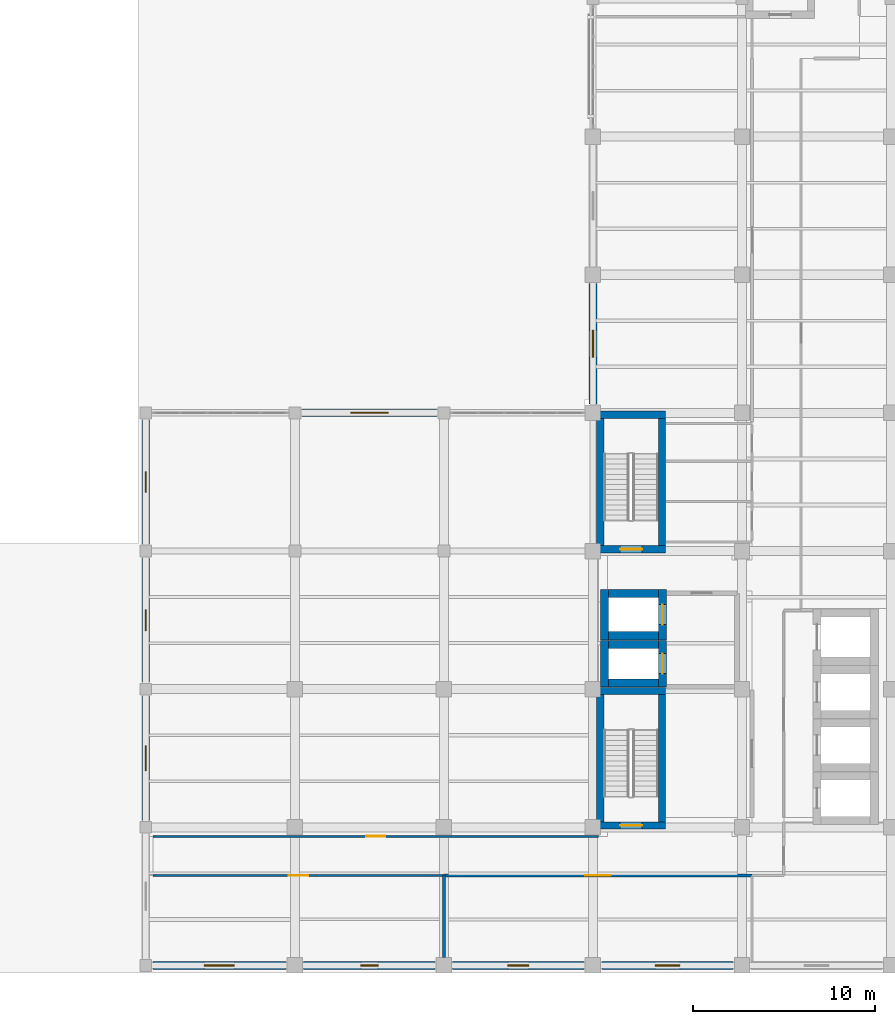
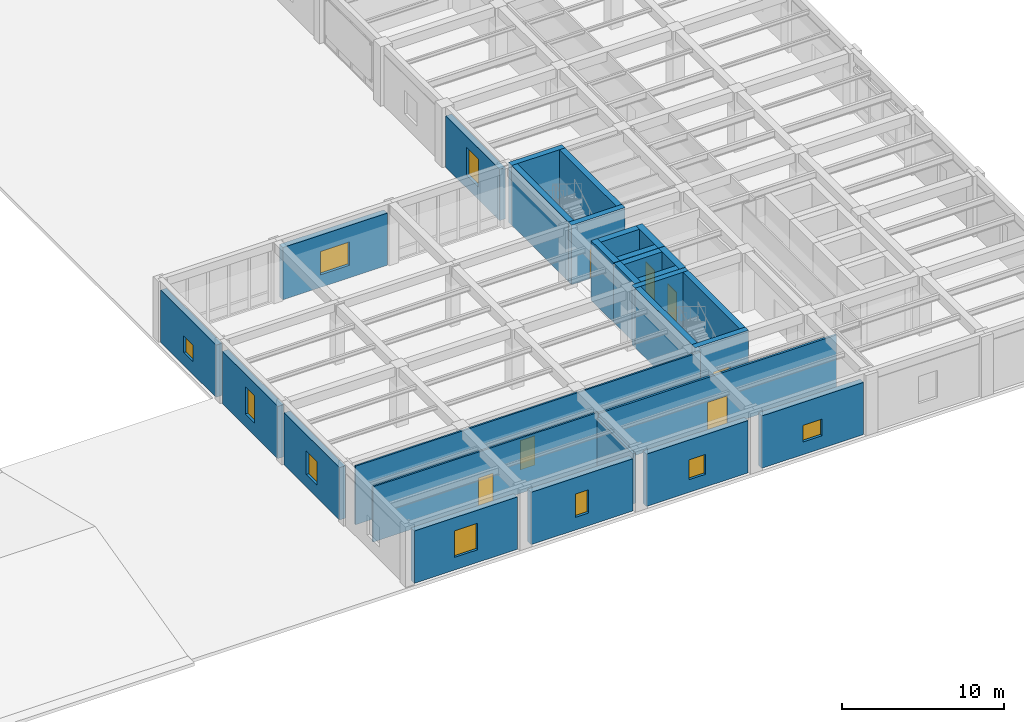
# One storey, part 15 of 23: 29 walls, 9 windows, 7 doors, 16 openings.
"""IFC4 building model written with IfcOpenShell, lengths in metres."""

from ifc_helpers import new_model, si_unit, direction, frame, frame_2d, origin, place, context, subcontext, project, spatial, rectangle, extrude, material, layer, layer_set, type_object, element, fill, save


model = new_model("IFC4")

# Units and contexts
model_context = context("Model", 3, precision=1e-05, world=origin(), true_north=direction((0.0, 1.0)))
body_context = subcontext(model_context, "Body", "Model", "MODEL_VIEW")
ifc_project = project(units=[si_unit("LENGTHUNIT", "METRE"), si_unit("AREAUNIT", "SQUARE_METRE"), si_unit("VOLUMEUNIT", "CUBIC_METRE"), si_unit("PLANEANGLEUNIT", "RADIAN"), si_unit("MASSUNIT", "GRAM", prefix="KILO")], contexts=[model_context])

# Site, building, storey
site_placement = place(None, origin())
site = spatial("IfcSite", under=ifc_project, at=site_placement, CompositionType="ELEMENT")
building_placement = place(site_placement, origin())
building = spatial("IfcBuilding", under=site, at=building_placement, Name="Qandaris Square Conservatory and Botanical Centre", CompositionType="ELEMENT")
storey_placement = place(building_placement, frame((0.0, 0.0, 15.0)))
storey = spatial("IfcBuildingStorey", under=building, at=storey_placement, Name="L03", CompositionType="ELEMENT", Elevation=15.0)

# Wall, opening, door
ifc_material_1 = material(Name="Gypsum Plasterboard", Category="gypsum")
ifc_layer_1 = layer(ifc_material_1, 0.14990234375)
ifc_layer_set_1 = layer_set([ifc_layer_1], Name="Gypsum Plasterboard")
wall_type_1 = type_object("IfcWallType", Name="Acoustic Laboratory Partition 150mm", PredefinedType="PARTITIONING", material=ifc_layer_set_1)
wall_1_placement = place(storey_placement, frame((147.949951171875, 21.550048828125, 0.0), z_axis=(0.0, 0.0, 1.0), x_axis=(-1.0, 0.0, 0.0)))
wall_1 = element("IfcWall", 1, at=wall_1_placement, inside=storey, type_object=wall_type_1, Name="Interior Partition IW-L03-0174", PredefinedType="PARTITIONING", context=body_context, shape_type="SweptSolid", body=[
    extrude(rectangle(XDim=16.949951171875, YDim=0.14990234375, at=frame_2d((8.47509765625, 0.0))), origin(), (0.0, 0.0, 1.0), 4.054931640625),
])
opening_1_placement = place(wall_1_placement, frame((7.77490234375, 0.0, 0.0)))
opening_1 = element("IfcOpeningElement", 2, at=opening_1_placement, cuts=wall_1, Name="Opening D-LAB1", PredefinedType="OPENING", context=body_context, shape_type="SweptSolid", body=[
    extrude(rectangle(XDim=1.39990234375, YDim=2.199951171875, at=frame_2d((0.699951171875, 1.10009765625))), frame((0.0, 0.0869140625, 0.0), z_axis=(0.0, -1.0, 0.0), x_axis=(1.0, 0.0, 0.0)), (0.0, 0.0, 1.0), 0.173828125),
])
ifc_material_2 = material(Name="Engineered Oak Timber", Category="wood")
door_type_1 = type_object("IfcDoorType", Name="Research Laboratory Leaf-and-Half Door 1400x2200", OperationType="DOUBLE_DOOR_SINGLE_SWING", PredefinedType="DOOR", material=ifc_material_2)
door_1_placement = place(opening_1_placement, frame((1.39990234375, 0.0, 0.0), z_axis=(0.0, 0.0, 1.0), x_axis=(-1.0, 0.0, 0.0)))
door_1 = element("IfcDoor", 3, at=door_1_placement, inside=storey, type_object=door_type_1, Name="DR-0153 Genomic Sequencing Suite Door", OperationType="DOUBLE_DOOR_SINGLE_SWING", OverallHeight=2.199951171875, OverallWidth=1.39990234375, PredefinedType="DOOR", context=body_context, shape_type="SweptSolid", body=[
    extrude(rectangle(XDim=1.39990234375, YDim=2.199951171875, at=frame_2d((0.699951171875, 1.10009765625))), frame((0.0, 0.02490234375, 0.0), z_axis=(0.0, -1.0, 0.0), x_axis=(1.0, 0.0, 0.0)), (0.0, 0.0, 1.0), 0.050048828125),
])
fill(opening_1, door_1)

# Wall
wall_2_placement = place(storey_placement, frame((131.0, 21.550048828125, 0.0), z_axis=(0.0, 0.0, 1.0), x_axis=(0.0, -1.0, 0.0)))
element("IfcWall", 4, at=wall_2_placement, inside=storey, type_object=wall_type_1, Name="Interior Partition IW-L03-0185", PredefinedType="PARTITIONING", context=body_context, shape_type="SweptSolid", body=[
    extrude(rectangle(XDim=4.505126953125, YDim=0.14990234375, at=frame_2d((2.25244140625, 0.0))), origin(), (0.0, 0.0, 1.0), 3.764892578125),
])

# Wall, opening, window
ifc_material_3 = material(Name="Concrete C40/50", Category="concrete")
ifc_layer_2 = layer(ifc_material_3, 0.419921875)
ifc_layer_set_2 = layer_set([ifc_layer_2], Name="Concrete C40/50")
wall_type_2 = type_object("IfcWallType", Name="Insulated Qatari Limestone Cavity Wall 420mm", PredefinedType="SOLIDWALL", material=ifc_layer_set_2)
wall_3_placement = place(storey_placement, frame((114.985107421875, 16.60009765625, 0.0), z_axis=(0.0, 0.0, 1.0), x_axis=(1.0, 0.0, 0.0)))
wall_3 = element("IfcWall", 5, at=wall_3_placement, inside=storey, type_object=wall_type_2, Name="Exterior Wall EW-TWR-L03-1-1", PredefinedType="SOLIDWALL", context=body_context, shape_type="SweptSolid", body=[
    extrude(rectangle(XDim=7.329833984375, YDim=0.419921875, at=frame_2d((3.6650390625, 0.0))), origin(), (0.0, 0.0, 1.0), 3.929931640625),
])
opening_2_placement = place(wall_3_placement, frame((2.840087890625, 0.0, 0.949951171875)))
opening_2 = element("IfcOpeningElement", 6, at=opening_2_placement, cuts=wall_3, Name="Opening WN-08", PredefinedType="OPENING", context=body_context, shape_type="SweptSolid", body=[
    extrude(rectangle(XDim=1.64990234375, YDim=2.0, at=frame_2d((0.824951171875, 1.0))), frame((0.0, 0.221923828125, 0.0), z_axis=(0.0, -1.0, 0.0), x_axis=(1.0, 0.0, 0.0)), (0.0, 0.0, 1.0), 0.44384765625),
])
ifc_material_4 = material(Name="Tempered Low-E Glass", Category="glass")
window_type_1 = type_object("IfcWindowType", Name="Seminar Courtyard Window 1650x2000", PartitioningType="DOUBLE_PANEL_VERTICAL", PredefinedType="WINDOW", material=ifc_material_4)
window_1_placement = place(opening_2_placement, origin())
window_1 = element("IfcWindow", 7, at=window_1_placement, inside=storey, type_object=window_type_1, Name="Window EW-TWR-L03-1-1", OverallHeight=2.0, OverallWidth=1.64990234375, PartitioningType="DOUBLE_PANEL_VERTICAL", PredefinedType="WINDOW", context=body_context, shape_type="SweptSolid", body=[
    extrude(rectangle(XDim=1.64990234375, YDim=2.0, at=frame_2d((0.824951171875, 1.0))), frame((0.0, 0.030029296875, 0.0), z_axis=(0.0, -1.0, 0.0), x_axis=(1.0, 0.0, 0.0)), (0.0, 0.0, 1.0), 0.06005859375),
])
fill(opening_2, window_1)

wall_4_placement = place(storey_placement, frame((123.284912109375, 16.60009765625, 0.0), z_axis=(0.0, 0.0, 1.0), x_axis=(1.0, 0.0, 0.0)))
wall_4 = element("IfcWall", 8, at=wall_4_placement, inside=storey, type_object=wall_type_2, Name="Exterior Wall EW-TWR-L03-1-2", PredefinedType="SOLIDWALL", context=body_context, shape_type="SweptSolid", body=[
    extrude(rectangle(XDim=7.22998046875, YDim=0.419921875, at=frame_2d((3.614990234375, 0.0))), origin(), (0.0, 0.0, 1.0), 3.929931640625),
])
opening_3_placement = place(wall_4_placement, frame((3.139892578125, 0.0, 0.949951171875)))
opening_3 = element("IfcOpeningElement", 9, at=opening_3_placement, cuts=wall_4, Name="Opening WN-15", PredefinedType="OPENING", context=body_context, shape_type="SweptSolid", body=[
    extrude(rectangle(XDim=0.949951171875, YDim=1.75, at=frame_2d((0.47509765625, 0.875))), frame((0.0, 0.221923828125, 0.0), z_axis=(0.0, -1.0, 0.0), x_axis=(1.0, 0.0, 0.0)), (0.0, 0.0, 1.0), 0.44384765625),
])
window_type_2 = type_object("IfcWindowType", Name="Solar Control Window 950x1750", PartitioningType="SINGLE_PANEL", PredefinedType="WINDOW", material=ifc_material_4)
window_2_placement = place(opening_3_placement, origin())
window_2 = element("IfcWindow", 10, at=window_2_placement, inside=storey, type_object=window_type_2, Name="Window EW-TWR-L03-1-2", OverallHeight=1.75, OverallWidth=0.949951171875, PartitioningType="SINGLE_PANEL", PredefinedType="WINDOW", context=body_context, shape_type="SweptSolid", body=[
    extrude(rectangle(XDim=0.949951171875, YDim=1.75, at=frame_2d((0.47509765625, 0.875))), frame((0.0, 0.030029296875, 0.0), z_axis=(0.0, -1.0, 0.0), x_axis=(1.0, 0.0, 0.0)), (0.0, 0.0, 1.0), 0.06005859375),
])
fill(opening_3, window_2)

wall_5_placement = place(storey_placement, frame((131.485107421875, 16.60009765625, 0.0), z_axis=(0.0, 0.0, 1.0), x_axis=(1.0, 0.0, 0.0)))
wall_5 = element("IfcWall", 11, at=wall_5_placement, inside=storey, type_object=wall_type_2, Name="Exterior Wall EW-TWR-L03-1-3", PredefinedType="SOLIDWALL", context=body_context, shape_type="SweptSolid", body=[
    extrude(rectangle(XDim=7.22998046875, YDim=0.419921875, at=frame_2d((3.614990234375, 0.0))), origin(), (0.0, 0.0, 1.0), 3.929931640625),
])
opening_4_placement = place(wall_5_placement, frame((3.0400390625, 0.0, 0.949951171875)))
opening_4 = element("IfcOpeningElement", 12, at=opening_4_placement, cuts=wall_5, Name="Opening WN-18", PredefinedType="OPENING", context=body_context, shape_type="SweptSolid", body=[
    extrude(rectangle(XDim=1.14990234375, YDim=1.5, at=frame_2d((0.574951171875, 0.75))), frame((0.0, 0.221923828125, 0.0), z_axis=(0.0, -1.0, 0.0), x_axis=(1.0, 0.0, 0.0)), (0.0, 0.0, 1.0), 0.44384765625),
])
window_type_3 = type_object("IfcWindowType", Name="Solar Control Window 1150x1500", PartitioningType="SINGLE_PANEL", PredefinedType="WINDOW", material=ifc_material_4)
window_3_placement = place(opening_4_placement, origin())
window_3 = element("IfcWindow", 13, at=window_3_placement, inside=storey, type_object=window_type_3, Name="Window EW-TWR-L03-1-3", OverallHeight=1.5, OverallWidth=1.14990234375, PartitioningType="SINGLE_PANEL", PredefinedType="WINDOW", context=body_context, shape_type="SweptSolid", body=[
    extrude(rectangle(XDim=1.14990234375, YDim=1.5, at=frame_2d((0.574951171875, 0.75))), frame((0.0, 0.030029296875, 0.0), z_axis=(0.0, -1.0, 0.0), x_axis=(1.0, 0.0, 0.0)), (0.0, 0.0, 1.0), 0.06005859375),
])
fill(opening_4, window_3)

wall_6_placement = place(storey_placement, frame((139.68505859375, 16.60009765625, 0.0), z_axis=(0.0, 0.0, 1.0), x_axis=(1.0, 0.0, 0.0)))
wall_6 = element("IfcWall", 14, at=wall_6_placement, inside=storey, type_object=wall_type_2, Name="Exterior Wall EW-TWR-L03-1-4", PredefinedType="SOLIDWALL", context=body_context, shape_type="SweptSolid", body=[
    extrude(rectangle(XDim=7.22998046875, YDim=0.419921875, at=frame_2d((3.614990234375, 0.0))), origin(), (0.0, 0.0, 1.0), 3.929931640625),
])
opening_5_placement = place(wall_6_placement, frame((2.93994140625, 0.0, 0.949951171875)))
opening_5 = element("IfcOpeningElement", 15, at=opening_5_placement, cuts=wall_6, Name="Opening WN-21", PredefinedType="OPENING", context=body_context, shape_type="SweptSolid", body=[
    extrude(rectangle(XDim=1.35009765625, YDim=1.25, at=frame_2d((0.675048828125, 0.625))), frame((0.0, 0.221923828125, 0.0), z_axis=(0.0, -1.0, 0.0), x_axis=(1.0, 0.0, 0.0)), (0.0, 0.0, 1.0), 0.44384765625),
])
window_type_4 = type_object("IfcWindowType", Name="Solar Control Window 1350x1250", PartitioningType="SINGLE_PANEL", PredefinedType="WINDOW", material=ifc_material_4)
window_4_placement = place(opening_5_placement, origin())
window_4 = element("IfcWindow", 16, at=window_4_placement, inside=storey, type_object=window_type_4, Name="Window EW-TWR-L03-1-4", OverallHeight=1.25, OverallWidth=1.35009765625, PartitioningType="SINGLE_PANEL", PredefinedType="WINDOW", context=body_context, shape_type="SweptSolid", body=[
    extrude(rectangle(XDim=1.35009765625, YDim=1.25, at=frame_2d((0.675048828125, 0.625))), frame((0.0, 0.030029296875, 0.0), z_axis=(0.0, -1.0, 0.0), x_axis=(1.0, 0.0, 0.0)), (0.0, 0.0, 1.0), 0.06005859375),
])
fill(opening_5, window_4)

wall_7_placement = place(storey_placement, frame((139.199951171875, 54.114990234375, 0.0), z_axis=(0.0, 0.0, 1.0), x_axis=(0.0, -1.0, 0.0)))
wall_7 = element("IfcWall", 17, at=wall_7_placement, inside=storey, type_object=wall_type_2, Name="Exterior Wall EW-TWR-L03-4-6", PredefinedType="SOLIDWALL", context=body_context, shape_type="SweptSolid", body=[
    extrude(rectangle(XDim=6.6298828125, YDim=0.419921875, at=frame_2d((3.31494140625, 0.0))), origin(), (0.0, 0.0, 1.0), 3.864990234375),
])
opening_6_placement = place(wall_7_placement, frame((2.56494140625, 0.0, 0.949951171875)))
opening_6 = element("IfcOpeningElement", 18, at=opening_6_placement, cuts=wall_7, Name="Opening WN-02", PredefinedType="OPENING", context=body_context, shape_type="SweptSolid", body=[
    extrude(rectangle(XDim=1.5, YDim=2.10009765625, at=frame_2d((0.75, 1.050048828125))), frame((0.0, 0.221923828125, 0.0), z_axis=(0.0, -1.0, 0.0), x_axis=(1.0, 0.0, 0.0)), (0.0, 0.0, 1.0), 0.44384765625),
])
window_type_5 = type_object("IfcWindowType", Name="Deep-Set Paired Research Window 1500x2100", PartitioningType="DOUBLE_PANEL_VERTICAL", PredefinedType="WINDOW", material=ifc_material_4)
window_5_placement = place(opening_6_placement, origin())
window_5 = element("IfcWindow", 19, at=window_5_placement, inside=storey, type_object=window_type_5, Name="Window EW-TWR-L03-4-6", OverallHeight=2.10009765625, OverallWidth=1.5, PartitioningType="DOUBLE_PANEL_VERTICAL", PredefinedType="WINDOW", context=body_context, shape_type="SweptSolid", body=[
    extrude(rectangle(XDim=1.5, YDim=2.10009765625, at=frame_2d((0.75, 1.050048828125))), frame((0.0, 0.030029296875, 0.0), z_axis=(0.0, -1.0, 0.0), x_axis=(1.0, 0.0, 0.0)), (0.0, 0.0, 1.0), 0.06005859375),
])
fill(opening_6, window_5)

wall_8_placement = place(storey_placement, frame((130.614990234375, 47.0, 0.0), z_axis=(0.0, 0.0, 1.0), x_axis=(-1.0, 0.0, 0.0)))
wall_8 = element("IfcWall", 20, at=wall_8_placement, inside=storey, type_object=wall_type_2, Name="Exterior Wall EW-TWR-L03-5-2", PredefinedType="SOLIDWALL", context=body_context, shape_type="SweptSolid", body=[
    extrude(rectangle(XDim=7.429931640625, YDim=0.419921875, at=frame_2d((3.71484375, 0.0))), origin(), (0.0, 0.0, 1.0), 3.929931640625),
])
opening_7_placement = place(wall_8_placement, frame((2.68994140625, 0.0, 0.949951171875)))
opening_7 = element("IfcOpeningElement", 21, at=opening_7_placement, cuts=wall_8, Name="Opening WN-35", PredefinedType="OPENING", context=body_context, shape_type="SweptSolid", body=[
    extrude(rectangle(XDim=2.050048828125, YDim=1.75, at=frame_2d((1.02490234375, 0.875))), frame((0.0, 0.221923828125, 0.0), z_axis=(0.0, -1.0, 0.0), x_axis=(1.0, 0.0, 0.0)), (0.0, 0.0, 1.0), 0.44384765625),
])
window_type_6 = type_object("IfcWindowType", Name="Solar Control Window 2050x1750", PartitioningType="DOUBLE_PANEL_VERTICAL", PredefinedType="WINDOW", material=ifc_material_4)
window_6_placement = place(opening_7_placement, origin())
window_6 = element("IfcWindow", 22, at=window_6_placement, inside=storey, type_object=window_type_6, Name="Window EW-TWR-L03-5-2", OverallHeight=1.75, OverallWidth=2.050048828125, PartitioningType="DOUBLE_PANEL_VERTICAL", PredefinedType="WINDOW", context=body_context, shape_type="SweptSolid", body=[
    extrude(rectangle(XDim=2.050048828125, YDim=1.75, at=frame_2d((1.02490234375, 0.875))), frame((0.0, 0.030029296875, 0.0), z_axis=(0.0, -1.0, 0.0), x_axis=(1.0, 0.0, 0.0)), (0.0, 0.0, 1.0), 0.06005859375),
])
fill(opening_7, window_6)

wall_9_placement = place(storey_placement, frame((114.60009765625, 46.614990234375, 0.0), z_axis=(0.0, 0.0, 1.0), x_axis=(0.0, -1.0, 0.0)))
wall_9 = element("IfcWall", 23, at=wall_9_placement, inside=storey, type_object=wall_type_2, Name="Exterior Wall EW-TWR-L03-6-1", PredefinedType="SOLIDWALL", context=body_context, shape_type="SweptSolid", body=[
    extrude(rectangle(XDim=6.830078125, YDim=0.419921875, at=frame_2d((3.4150390625, 0.0))), origin(), (0.0, 0.0, 1.0), 3.929931640625),
])
opening_8_placement = place(wall_9_placement, frame((2.840087890625, 0.0, 0.949951171875)))
opening_8 = element("IfcOpeningElement", 24, at=opening_8_placement, cuts=wall_9, Name="Opening WN-17", PredefinedType="OPENING", context=body_context, shape_type="SweptSolid", body=[
    extrude(rectangle(XDim=1.14990234375, YDim=1.25, at=frame_2d((0.574951171875, 0.625))), frame((0.0, 0.221923828125, 0.0), z_axis=(0.0, -1.0, 0.0), x_axis=(1.0, 0.0, 0.0)), (0.0, 0.0, 1.0), 0.44384765625),
])
window_type_7 = type_object("IfcWindowType", Name="Solar Control Window 1150x1250", PartitioningType="SINGLE_PANEL", PredefinedType="WINDOW", material=ifc_material_4)
window_7_placement = place(opening_8_placement, origin())
window_7 = element("IfcWindow", 25, at=window_7_placement, inside=storey, type_object=window_type_7, Name="Window EW-TWR-L03-6-1", OverallHeight=1.25, OverallWidth=1.14990234375, PartitioningType="SINGLE_PANEL", PredefinedType="WINDOW", context=body_context, shape_type="SweptSolid", body=[
    extrude(rectangle(XDim=1.14990234375, YDim=1.25, at=frame_2d((0.574951171875, 0.625))), frame((0.0, 0.030029296875, 0.0), z_axis=(0.0, -1.0, 0.0), x_axis=(1.0, 0.0, 0.0)), (0.0, 0.0, 1.0), 0.06005859375),
])
fill(opening_8, window_7)

wall_10_placement = place(storey_placement, frame((114.60009765625, 39.014892578125, 0.0), z_axis=(0.0, 0.0, 1.0), x_axis=(0.0, -1.0, 0.0)))
wall_10 = element("IfcWall", 26, at=wall_10_placement, inside=storey, type_object=wall_type_2, Name="Exterior Wall EW-TWR-L03-6-2", PredefinedType="SOLIDWALL", context=body_context, shape_type="SweptSolid", body=[
    extrude(rectangle(XDim=6.829833984375, YDim=0.419921875, at=frame_2d((3.4150390625, 0.0))), origin(), (0.0, 0.0, 1.0), 3.929931640625),
])
opening_9_placement = place(wall_10_placement, frame((2.840087890625, 0.0, 0.949951171875)))
opening_9 = element("IfcOpeningElement", 27, at=opening_9_placement, cuts=wall_10, Name="Opening WN-20", PredefinedType="OPENING", context=body_context, shape_type="SweptSolid", body=[
    extrude(rectangle(XDim=1.14990234375, YDim=2.050048828125, at=frame_2d((0.574951171875, 1.02490234375))), frame((0.0, 0.221923828125, 0.0), z_axis=(0.0, -1.0, 0.0), x_axis=(1.0, 0.0, 0.0)), (0.0, 0.0, 1.0), 0.44384765625),
])
window_type_8 = type_object("IfcWindowType", Name="Solar Control Window 1150x2050", PartitioningType="SINGLE_PANEL", PredefinedType="WINDOW", material=ifc_material_4)
window_8_placement = place(opening_9_placement, origin())
window_8 = element("IfcWindow", 28, at=window_8_placement, inside=storey, type_object=window_type_8, Name="Window EW-TWR-L03-6-2", OverallHeight=2.050048828125, OverallWidth=1.14990234375, PartitioningType="SINGLE_PANEL", PredefinedType="WINDOW", context=body_context, shape_type="SweptSolid", body=[
    extrude(rectangle(XDim=1.14990234375, YDim=2.050048828125, at=frame_2d((0.574951171875, 1.02490234375))), frame((0.0, 0.030029296875, 0.0), z_axis=(0.0, -1.0, 0.0), x_axis=(1.0, 0.0, 0.0)), (0.0, 0.0, 1.0), 0.06005859375),
])
fill(opening_9, window_8)

wall_11_placement = place(storey_placement, frame((114.60009765625, 31.4150390625, 0.0), z_axis=(0.0, 0.0, 1.0), x_axis=(0.0, -1.0, 0.0)))
wall_11 = element("IfcWall", 29, at=wall_11_placement, inside=storey, type_object=wall_type_2, Name="Exterior Wall EW-TWR-L03-6-3", PredefinedType="SOLIDWALL", context=body_context, shape_type="SweptSolid", body=[
    extrude(rectangle(XDim=6.830078125, YDim=0.419921875, at=frame_2d((3.4150390625, 0.0))), origin(), (0.0, 0.0, 1.0), 3.929931640625),
])
opening_10_placement = place(wall_11_placement, frame((2.739990234375, 0.0, 0.949951171875)))
opening_10 = element("IfcOpeningElement", 30, at=opening_10_placement, cuts=wall_11, Name="Opening WN-23", PredefinedType="OPENING", context=body_context, shape_type="SweptSolid", body=[
    extrude(rectangle(XDim=1.35009765625, YDim=1.75, at=frame_2d((0.675048828125, 0.875))), frame((0.0, 0.221923828125, 0.0), z_axis=(0.0, -1.0, 0.0), x_axis=(1.0, 0.0, 0.0)), (0.0, 0.0, 1.0), 0.44384765625),
])
window_type_9 = type_object("IfcWindowType", Name="Solar Control Window 1350x1750", PartitioningType="SINGLE_PANEL", PredefinedType="WINDOW", material=ifc_material_4)
window_9_placement = place(opening_10_placement, origin())
window_9 = element("IfcWindow", 31, at=window_9_placement, inside=storey, type_object=window_type_9, Name="Window EW-TWR-L03-6-3", OverallHeight=1.75, OverallWidth=1.35009765625, PartitioningType="SINGLE_PANEL", PredefinedType="WINDOW", context=body_context, shape_type="SweptSolid", body=[
    extrude(rectangle(XDim=1.35009765625, YDim=1.75, at=frame_2d((0.675048828125, 0.875))), frame((0.0, 0.030029296875, 0.0), z_axis=(0.0, -1.0, 0.0), x_axis=(1.0, 0.0, 0.0)), (0.0, 0.0, 1.0), 0.06005859375),
])
fill(opening_10, window_9)

# Walls
ifc_material_5 = material(Name="Concrete C50/60", Category="concrete")
ifc_layer_3 = layer(ifc_material_5, 0.449951171875)
ifc_layer_set_3 = layer_set([ifc_layer_3], Name="Concrete C50/60")
wall_type_3 = type_object("IfcWallType", Name="RC Coupled Core Shear Wall 450mm", PredefinedType="SHEAR", material=ifc_layer_set_3)
for number, where, z_axis, x_axis, name in (
    (32, (140.06005859375, 32.135009765625, 0.0), (0.0, 0.0, 1.0), (1.0, 0.0, 0.0), "Lift FFL1 Shaft Wall South (L03)"),
    (33, (140.06005859375, 34.264892578125, 0.0), (0.0, 0.0, 1.0), (1.0, 0.0, 0.0), "Lift FFL1 Shaft Wall North (L03)"),
):
    element("IfcWall", number, at=place(storey_placement, frame(where, z_axis=z_axis, x_axis=x_axis)), inside=storey, type_object=wall_type_3, Name=name, PredefinedType="SHEAR", context=body_context, shape_type="SweptSolid", body=[
        extrude(rectangle(XDim=2.739990234375, YDim=0.449951171875, at=frame_2d((1.3701171875, 0.0))), origin(), (0.0, 0.0, 1.0), 4.47998046875),
    ])
wall_12_placement = place(storey_placement, frame((139.8349609375, 31.909912109375, 0.0), z_axis=(0.0, 0.0, 1.0), x_axis=(0.0, 1.0, 0.0)))
element("IfcWall", 34, at=wall_12_placement, inside=storey, type_object=wall_type_3, Name="Lift FFL1 Shaft Wall West (L03)", PredefinedType="SHEAR", context=body_context, shape_type="SweptSolid", body=[
    extrude(rectangle(XDim=2.580078125, YDim=0.449951171875, at=frame_2d((1.2900390625, 0.0))), origin(), (0.0, 0.0, 1.0), 4.47998046875),
])

# Wall, opening, door
wall_13_placement = place(storey_placement, frame((143.02490234375, 31.909912109375, 0.0), z_axis=(0.0, 0.0, 1.0), x_axis=(0.0, 1.0, 0.0)))
wall_13 = element("IfcWall", 35, at=wall_13_placement, inside=storey, type_object=wall_type_3, Name="Lift FFL1 Shaft Wall East (L03)", PredefinedType="SHEAR", context=body_context, shape_type="SweptSolid", body=[
    extrude(rectangle(XDim=2.580078125, YDim=0.449951171875, at=frame_2d((1.2900390625, 0.0))), origin(), (0.0, 0.0, 1.0), 4.47998046875),
])
opening_11_placement = place(wall_13_placement, frame((0.739990234375, 0.0, 0.0)))
opening_11 = element("IfcOpeningElement", 36, at=opening_11_placement, cuts=wall_13, Name="Opening LD-FFL", PredefinedType="OPENING", context=body_context, shape_type="SweptSolid", body=[
    extrude(rectangle(XDim=1.10009765625, YDim=2.199951171875, at=frame_2d((0.550048828125, 1.10009765625))), frame((0.0, 0.23681640625, 0.0), z_axis=(0.0, -1.0, 0.0), x_axis=(1.0, 0.0, 0.0)), (0.0, 0.0, 1.0), 0.473876953125),
])
ifc_material_6 = material(Name="Steel S355", Category="steel")
door_type_2 = type_object("IfcDoorType", Name="Firefighting Lift Sliding Landing Door 1100x2200", OperationType="DOUBLE_DOOR_SLIDING", PredefinedType="DOOR", material=ifc_material_6)
door_2_placement = place(opening_11_placement, origin())
door_2 = element("IfcDoor", 37, at=door_2_placement, inside=storey, type_object=door_type_2, Name="DR-0168 Lift FFL1 Landing Door (L03)", OperationType="DOUBLE_DOOR_SLIDING", OverallHeight=2.199951171875, OverallWidth=1.10009765625, PredefinedType="DOOR", context=body_context, shape_type="SweptSolid", body=[
    extrude(rectangle(XDim=1.10009765625, YDim=2.199951171875, at=frame_2d((0.550048828125, 1.10009765625))), frame((0.0, 0.02490234375, 0.0), z_axis=(0.0, -1.0, 0.0), x_axis=(1.0, 0.0, 0.0)), (0.0, 0.0, 1.0), 0.050048828125),
])
fill(opening_11, door_2)

# Walls
for number, where, z_axis, x_axis, name in (
    (38, (140.06005859375, 34.735107421875, 0.0), (0.0, 0.0, 1.0), (1.0, 0.0, 0.0), "Lift FFL2 Shaft Wall South (L03)"),
    (39, (140.06005859375, 37.06494140625, 0.0), (0.0, 0.0, 1.0), (1.0, 0.0, 0.0), "Lift FFL2 Shaft Wall North (L03)"),
):
    element("IfcWall", number, at=place(storey_placement, frame(where, z_axis=z_axis, x_axis=x_axis)), inside=storey, type_object=wall_type_3, Name=name, PredefinedType="SHEAR", context=body_context, shape_type="SweptSolid", body=[
        extrude(rectangle(XDim=2.739990234375, YDim=0.449951171875, at=frame_2d((1.3701171875, 0.0))), origin(), (0.0, 0.0, 1.0), 4.47998046875),
    ])
wall_14_placement = place(storey_placement, frame((139.8349609375, 34.510009765625, 0.0), z_axis=(0.0, 0.0, 1.0), x_axis=(0.0, 1.0, 0.0)))
element("IfcWall", 40, at=wall_14_placement, inside=storey, type_object=wall_type_3, Name="Lift FFL2 Shaft Wall West (L03)", PredefinedType="SHEAR", context=body_context, shape_type="SweptSolid", body=[
    extrude(rectangle(XDim=2.780029296875, YDim=0.449951171875, at=frame_2d((1.39013671875, 0.0))), origin(), (0.0, 0.0, 1.0), 4.47998046875),
])

# Wall, opening, door
wall_15_placement = place(storey_placement, frame((143.02490234375, 34.510009765625, 0.0), z_axis=(0.0, 0.0, 1.0), x_axis=(0.0, 1.0, 0.0)))
wall_15 = element("IfcWall", 41, at=wall_15_placement, inside=storey, type_object=wall_type_3, Name="Lift FFL2 Shaft Wall East (L03)", PredefinedType="SHEAR", context=body_context, shape_type="SweptSolid", body=[
    extrude(rectangle(XDim=2.780029296875, YDim=0.449951171875, at=frame_2d((1.39013671875, 0.0))), origin(), (0.0, 0.0, 1.0), 4.47998046875),
])
opening_12_placement = place(wall_15_placement, frame((0.840087890625, 0.0, 0.0)))
opening_12 = element("IfcOpeningElement", 42, at=opening_12_placement, cuts=wall_15, Name="Opening LD-FFL", PredefinedType="OPENING", context=body_context, shape_type="SweptSolid", body=[
    extrude(rectangle(XDim=1.10009765625, YDim=2.199951171875, at=frame_2d((0.550048828125, 1.10009765625))), frame((0.0, 0.23681640625, 0.0), z_axis=(0.0, -1.0, 0.0), x_axis=(1.0, 0.0, 0.0)), (0.0, 0.0, 1.0), 0.473876953125),
])
door_3_placement = place(opening_12_placement, origin())
door_3 = element("IfcDoor", 43, at=door_3_placement, inside=storey, type_object=door_type_2, Name="DR-0169 Lift FFL2 Landing Door (L03)", OperationType="DOUBLE_DOOR_SLIDING", OverallHeight=2.199951171875, OverallWidth=1.10009765625, PredefinedType="DOOR", context=body_context, shape_type="SweptSolid", body=[
    extrude(rectangle(XDim=1.10009765625, YDim=2.199951171875, at=frame_2d((0.550048828125, 1.10009765625))), frame((0.0, 0.02490234375, 0.0), z_axis=(0.0, -1.0, 0.0), x_axis=(1.0, 0.0, 0.0)), (0.0, 0.0, 1.0), 0.050048828125),
])
fill(opening_12, door_3)

ifc_layer_4 = layer(ifc_material_5, 0.39990234375)
ifc_layer_set_4 = layer_set([ifc_layer_4], Name="Concrete C50/60")
wall_type_4 = type_object("IfcWallType", Name="RC Stair Core Shear Wall 400mm", PredefinedType="SHEAR", material=ifc_layer_set_4)
wall_16_placement = place(storey_placement, frame((139.39990234375, 24.300048828125, 0.0), z_axis=(0.0, 0.0, 1.0), x_axis=(1.0, 0.0, 0.0)))
wall_16 = element("IfcWall", 44, at=wall_16_placement, inside=storey, type_object=wall_type_4, Name="ST-1 Core Shear Wall South (L03)", PredefinedType="SHEAR", context=body_context, shape_type="SweptSolid", body=[
    extrude(rectangle(XDim=3.800048828125, YDim=0.39990234375, at=frame_2d((1.89990234375, 0.0))), origin(), (0.0, 0.0, 1.0), 4.47998046875),
])
opening_13_placement = place(wall_16_placement, frame((1.300048828125, 0.0, 0.0)))
opening_13 = element("IfcOpeningElement", 45, at=opening_13_placement, cuts=wall_16, Name="Opening D-ST1", PredefinedType="OPENING", context=body_context, shape_type="SweptSolid", body=[
    extrude(rectangle(XDim=1.199951171875, YDim=2.199951171875, at=frame_2d((0.60009765625, 1.10009765625))), frame((0.0, 0.2119140625, 0.0), z_axis=(0.0, -1.0, 0.0), x_axis=(1.0, 0.0, 0.0)), (0.0, 0.0, 1.0), 0.423828125),
])
door_type_3 = type_object("IfcDoorType", Name="Exit Stair Core Fire Door 1200x2200", OperationType="NOTDEFINED", PredefinedType="DOOR", material=ifc_material_6)
door_4_placement = place(opening_13_placement, origin())
door_4 = element("IfcDoor", 46, at=door_4_placement, inside=storey, type_object=door_type_3, Name="DR-0162 ST-1 Stair Core Door (L03)", OperationType="SINGLE_SWING_LEFT", OverallHeight=2.199951171875, OverallWidth=1.199951171875, PredefinedType="DOOR", context=body_context, shape_type="SweptSolid", body=[
    extrude(rectangle(XDim=1.199951171875, YDim=2.199951171875, at=frame_2d((0.60009765625, 1.10009765625))), frame((0.0, 0.02490234375, 0.0), z_axis=(0.0, -1.0, 0.0), x_axis=(1.0, 0.0, 0.0)), (0.0, 0.0, 1.0), 0.050048828125),
])
fill(opening_13, door_4)

# Walls
wall_17_placement = place(storey_placement, frame((139.39990234375, 31.699951171875, 0.0), z_axis=(0.0, 0.0, 1.0), x_axis=(1.0, 0.0, 0.0)))
element("IfcWall", 47, at=wall_17_placement, inside=storey, type_object=wall_type_4, Name="ST-1 Core Shear Wall North (L03)", PredefinedType="SHEAR", context=body_context, shape_type="SweptSolid", body=[
    extrude(rectangle(XDim=3.800048828125, YDim=0.39990234375, at=frame_2d((1.89990234375, 0.0))), origin(), (0.0, 0.0, 1.0), 4.47998046875),
])
for number, where, z_axis, x_axis, name in (
    (48, (139.60009765625, 24.5, 0.0), (0.0, 0.0, 1.0), (0.0, 1.0, 0.0), "ST-1 Core Shear Wall West (L03)"),
    (49, (143.0, 24.5, 0.0), (0.0, 0.0, 1.0), (0.0, 1.0, 0.0), "ST-1 Core Shear Wall East (L03)"),
):
    element("IfcWall", number, at=place(storey_placement, frame(where, z_axis=z_axis, x_axis=x_axis)), inside=storey, type_object=wall_type_4, Name=name, PredefinedType="SHEAR", context=body_context, shape_type="SweptSolid", body=[
        extrude(rectangle(XDim=7.0, YDim=0.39990234375, at=frame_2d((3.5, 0.0))), origin(), (0.0, 0.0, 1.0), 4.47998046875),
    ])

# Wall, opening, door
wall_18_placement = place(storey_placement, frame((139.39990234375, 39.5, 0.0), z_axis=(0.0, 0.0, 1.0), x_axis=(1.0, 0.0, 0.0)))
wall_18 = element("IfcWall", 50, at=wall_18_placement, inside=storey, type_object=wall_type_4, Name="ST-2 Core Shear Wall South (L03)", PredefinedType="SHEAR", context=body_context, shape_type="SweptSolid", body=[
    extrude(rectangle(XDim=3.800048828125, YDim=0.39990234375, at=frame_2d((1.89990234375, 0.0))), origin(), (0.0, 0.0, 1.0), 4.47998046875),
])
opening_14_placement = place(wall_18_placement, frame((1.300048828125, 0.0, 0.0)))
opening_14 = element("IfcOpeningElement", 51, at=opening_14_placement, cuts=wall_18, Name="Opening D-ST1", PredefinedType="OPENING", context=body_context, shape_type="SweptSolid", body=[
    extrude(rectangle(XDim=1.199951171875, YDim=2.199951171875, at=frame_2d((0.60009765625, 1.10009765625))), frame((0.0, 0.2119140625, 0.0), z_axis=(0.0, -1.0, 0.0), x_axis=(1.0, 0.0, 0.0)), (0.0, 0.0, 1.0), 0.423828125),
])
door_5_placement = place(opening_14_placement, origin())
door_5 = element("IfcDoor", 52, at=door_5_placement, inside=storey, type_object=door_type_3, Name="DR-0163 ST-2 Stair Core Door (L03)", OperationType="SINGLE_SWING_LEFT", OverallHeight=2.199951171875, OverallWidth=1.199951171875, PredefinedType="DOOR", context=body_context, shape_type="SweptSolid", body=[
    extrude(rectangle(XDim=1.199951171875, YDim=2.199951171875, at=frame_2d((0.60009765625, 1.10009765625))), frame((0.0, 0.02490234375, 0.0), z_axis=(0.0, -1.0, 0.0), x_axis=(1.0, 0.0, 0.0)), (0.0, 0.0, 1.0), 0.050048828125),
])
fill(opening_14, door_5)

# Walls
wall_19_placement = place(storey_placement, frame((139.39990234375, 46.89990234375, 0.0), z_axis=(0.0, 0.0, 1.0), x_axis=(1.0, 0.0, 0.0)))
element("IfcWall", 53, at=wall_19_placement, inside=storey, type_object=wall_type_4, Name="ST-2 Core Shear Wall North (L03)", PredefinedType="SHEAR", context=body_context, shape_type="SweptSolid", body=[
    extrude(rectangle(XDim=3.800048828125, YDim=0.39990234375, at=frame_2d((1.89990234375, 0.0))), origin(), (0.0, 0.0, 1.0), 4.47998046875),
])
for number, where, z_axis, x_axis, name in (
    (54, (139.60009765625, 39.699951171875, 0.0), (0.0, 0.0, 1.0), (0.0, 1.0, 0.0), "ST-2 Core Shear Wall West (L03)"),
    (55, (143.0, 39.699951171875, 0.0), (0.0, 0.0, 1.0), (0.0, 1.0, 0.0), "ST-2 Core Shear Wall East (L03)"),
):
    element("IfcWall", number, at=place(storey_placement, frame(where, z_axis=z_axis, x_axis=x_axis)), inside=storey, type_object=wall_type_4, Name=name, PredefinedType="SHEAR", context=body_context, shape_type="SweptSolid", body=[
        extrude(rectangle(XDim=7.0, YDim=0.39990234375, at=frame_2d((3.5, 0.0))), origin(), (0.0, 0.0, 1.0), 4.47998046875),
    ])

# Wall, opening, door
ifc_layer_5 = layer(ifc_material_1, 0.1201171875)
ifc_layer_set_5 = layer_set([ifc_layer_5], Name="Gypsum Plasterboard")
wall_type_5 = type_object("IfcWallType", Name="Standard Research Partition 120mm", PredefinedType="PARTITIONING", material=ifc_layer_set_5)
wall_20_placement = place(storey_placement, frame((131.0, 21.550048828125, 0.0), z_axis=(0.0, 0.0, 1.0), x_axis=(-1.0, 0.0, 0.0)))
wall_20 = element("IfcWall", 56, at=wall_20_placement, inside=storey, type_object=wall_type_5, Name="Interior Partition IW-L03-0173", PredefinedType="PARTITIONING", context=body_context, shape_type="SweptSolid", body=[
    extrude(rectangle(XDim=16.0, YDim=0.1201171875, at=frame_2d((8.0, 0.0))), origin(), (0.0, 0.0, 1.0), 4.155029296875),
])
opening_15_placement = place(wall_20_placement, frame((7.47509765625, 0.0, 0.0)))
opening_15 = element("IfcOpeningElement", 57, at=opening_15_placement, cuts=wall_20, Name="Opening D-LAB2", PredefinedType="OPENING", context=body_context, shape_type="SweptSolid", body=[
    extrude(rectangle(XDim=1.050048828125, YDim=2.199951171875, at=frame_2d((0.52490234375, 1.10009765625))), frame((0.0, 0.072021484375, 0.0), z_axis=(0.0, -1.0, 0.0), x_axis=(1.0, 0.0, 0.0)), (0.0, 0.0, 1.0), 0.14404296875),
])
door_type_4 = type_object("IfcDoorType", Name="Analytical Laboratory Single Door 1050x2200", OperationType="NOTDEFINED", PredefinedType="DOOR", material=ifc_material_2)
door_6_placement = place(opening_15_placement, origin())
door_6 = element("IfcDoor", 58, at=door_6_placement, inside=storey, type_object=door_type_4, Name="DR-0155 Molecular Phylogenetics Research Laboratory Door", OperationType="SINGLE_SWING_LEFT", OverallHeight=2.199951171875, OverallWidth=1.050048828125, PredefinedType="DOOR", context=body_context, shape_type="SweptSolid", body=[
    extrude(rectangle(XDim=1.050048828125, YDim=2.199951171875, at=frame_2d((0.52490234375, 1.10009765625))), frame((0.0, 0.02490234375, 0.0), z_axis=(0.0, -1.0, 0.0), x_axis=(1.0, 0.0, 0.0)), (0.0, 0.0, 1.0), 0.050048828125),
])
fill(opening_15, door_6)

wall_21_placement = place(storey_placement, frame((115.0, 23.699951171875, 0.0), z_axis=(0.0, 0.0, 1.0), x_axis=(1.0, 0.0, 0.0)))
wall_21 = element("IfcWall", 59, at=wall_21_placement, inside=storey, type_object=wall_type_5, Name="Interior Partition IW-L03-0175", PredefinedType="PARTITIONING", context=body_context, shape_type="SweptSolid", body=[
    extrude(rectangle(XDim=24.5, YDim=0.1201171875, at=frame_2d((12.25, 0.0))), origin(), (0.0, 0.0, 1.0), 4.405029296875),
])
opening_16_placement = place(wall_21_placement, frame((11.72509765625, 0.0, 0.0)))
opening_16 = element("IfcOpeningElement", 60, at=opening_16_placement, cuts=wall_21, Name="Opening D-LAB2", PredefinedType="OPENING", context=body_context, shape_type="SweptSolid", body=[
    extrude(rectangle(XDim=1.050048828125, YDim=2.199951171875, at=frame_2d((0.52490234375, 1.10009765625))), frame((0.0, 0.072021484375, 0.0), z_axis=(0.0, -1.0, 0.0), x_axis=(1.0, 0.0, 0.0)), (0.0, 0.0, 1.0), 0.14404296875),
])
door_7_placement = place(opening_16_placement, origin())
door_7 = element("IfcDoor", 61, at=door_7_placement, inside=storey, type_object=door_type_4, Name="DR-0156 Plant Tissue Culture Cleanroom Door", OperationType="SINGLE_SWING_RIGHT", OverallHeight=2.199951171875, OverallWidth=1.050048828125, PredefinedType="DOOR", context=body_context, shape_type="SweptSolid", body=[
    extrude(rectangle(XDim=1.050048828125, YDim=2.199951171875, at=frame_2d((0.52490234375, 1.10009765625))), frame((0.0, 0.02490234375, 0.0), z_axis=(0.0, -1.0, 0.0), x_axis=(1.0, 0.0, 0.0)), (0.0, 0.0, 1.0), 0.050048828125),
])
fill(opening_16, door_7)

save(model, "model.ifc")
